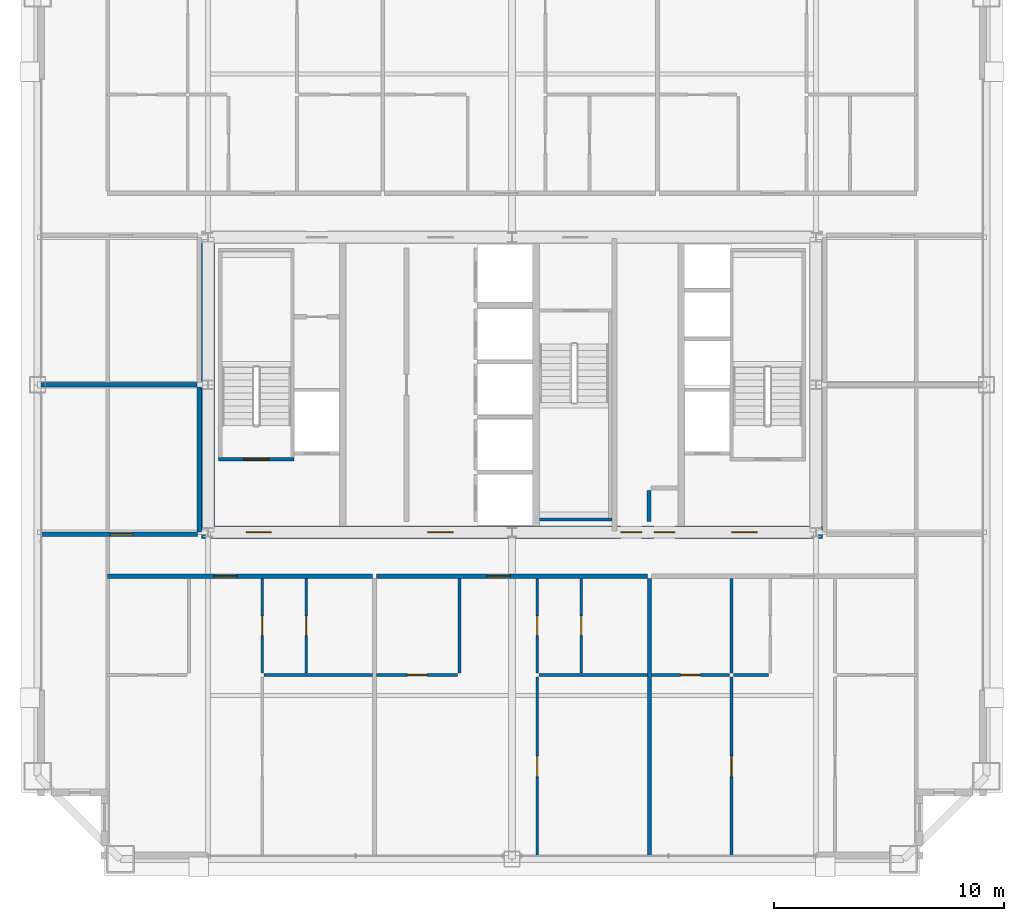
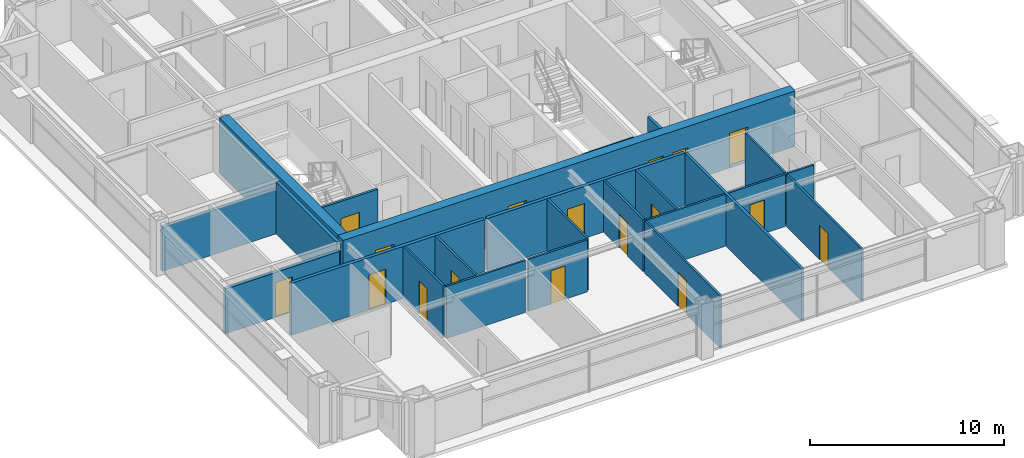
# One storey, part 32 of 37: 24 walls, 17 doors, 17 openings.
"""IFC4 building model written with IfcOpenShell, lengths in metres."""

from ifc_helpers import new_model, si_unit, direction, frame, frame_2d, origin, place, context, subcontext, project, spatial, rectangle, extrude, source, transform, mapped, material, layer, layer_set, type_object, element, fill, save


model = new_model("IFC4")

# Units and contexts
model_context = context("Model", 3, precision=1e-05, world=origin(), true_north=direction((0.0, 1.0)))
body_context = subcontext(model_context, "Body", "Model", "MODEL_VIEW")
ifc_project = project(units=[si_unit("LENGTHUNIT", "METRE"), si_unit("AREAUNIT", "SQUARE_METRE"), si_unit("VOLUMEUNIT", "CUBIC_METRE"), si_unit("PLANEANGLEUNIT", "RADIAN"), si_unit("MASSUNIT", "GRAM", prefix="KILO"), si_unit("THERMODYNAMICTEMPERATUREUNIT", "KELVIN"), si_unit("POWERUNIT", "WATT")], contexts=[model_context])

# Site, building, storey
site_placement = place(None, origin())
site = spatial("IfcSite", under=ifc_project, at=site_placement, CompositionType="ELEMENT")
building_placement = place(site_placement, origin())
building = spatial("IfcBuilding", under=site, at=building_placement, Name="Yuzanri Waterfront Tower", CompositionType="ELEMENT")
storey_placement = place(building_placement, frame((0.0, 0.0, 252.10009765625)))
storey = spatial("IfcBuildingStorey", under=building, at=storey_placement, Name="L67", CompositionType="ELEMENT", Elevation=252.10009765625)

# Wall, opening, door
ifc_material_1 = material(Name="Moisture-Resistant Gypsum Stud Wall", Category="gypsum")
ifc_layer_1 = layer(ifc_material_1, 0.1201171875)
ifc_layer_set_1 = layer_set([ifc_layer_1], Name="Moisture-Resistant Gypsum Stud Wall")
wall_type_1 = type_object("IfcWallType", Name="Bathroom and Kitchen Wet Partition 120", PredefinedType="PARTITIONING", material=ifc_layer_set_1)
wall_1_placement = place(storey_placement, frame((28.070068359375, 13.280029296875, 0.0), z_axis=(0.0, 0.0, 1.0), x_axis=(0.0, 1.0, 0.0)))
wall_1 = element("IfcWall", 1, at=wall_1_placement, inside=storey, type_object=wall_type_1, Name="L67 Partition UW-L67-RS1-SUB-2-W", PredefinedType="PARTITIONING", context=body_context, shape_type="SweptSolid", body=[
    extrude(rectangle(XDim=4.10986328125, YDim=0.1201171875, at=frame_2d((2.054931640625, 0.0))), origin(), (0.0, 0.0, 1.0), 3.27978515625),
])
opening_1_placement = place(wall_1_placement, frame((1.6298828125, 0.0, 0.0)))
opening_1 = element("IfcOpeningElement", 2, at=opening_1_placement, cuts=wall_1, Name="Opening ID-0850", PredefinedType="OPENING", context=body_context, shape_type="SweptSolid", body=[
    extrude(rectangle(XDim=0.85009765625, YDim=2.10009765625, at=frame_2d((0.425048828125, 1.050048828125))), frame((0.0, 0.074951171875, 0.0), z_axis=(0.0, -1.0, 0.0), x_axis=(1.0, 0.0, 0.0)), (0.0, 0.0, 1.0), 0.14990234375),
])
ifc_material_2 = material(Name="Moisture-Resistant Lacquered Timber", Category="wood")
door_type_1 = type_object("IfcDoorType", Name="En-Suite Bathroom and Kitchen Swing Door 850x2100", OperationType="NOTDEFINED", PredefinedType="DOOR", material=ifc_material_2)
shared_shape_1 = source(origin(), body_context, "Body", "SweptSolid", [
    extrude(rectangle(XDim=0.85009765625, YDim=2.10009765625, at=frame_2d((0.425048828125, 1.050048828125))), frame((0.0, 0.02490234375, 0.0), z_axis=(0.0, -1.0, 0.0), x_axis=(1.0, 0.0, 0.0)), (0.0, 0.0, 1.0), 0.050048828125),
])
door_1_placement = place(opening_1_placement, origin())
door_1 = element("IfcDoor", 3, at=door_1_placement, inside=storey, type_object=door_type_1, Name="L67 Suite Interior Room Door", OperationType="SINGLE_SWING_LEFT", OverallHeight=2.10009765625, OverallWidth=0.85009765625, PredefinedType="DOOR", context=body_context, shape_type="MappedRepresentation", body=[
    mapped(shared_shape_1, transform((0.0, 0.0, 0.0), scale=1.0)),
])
fill(opening_1, door_1)

wall_2_placement = place(storey_placement, frame((26.157958984375, 13.280029296875, 0.0), z_axis=(0.0, 0.0, 1.0), x_axis=(0.0, 1.0, 0.0)))
wall_2 = element("IfcWall", 4, at=wall_2_placement, inside=storey, type_object=wall_type_1, Name="L67 Partition UW-L67-RS1-SUB-4-W", PredefinedType="PARTITIONING", context=body_context, shape_type="SweptSolid", body=[
    extrude(rectangle(XDim=4.10986328125, YDim=0.1201171875, at=frame_2d((2.054931640625, 0.0))), origin(), (0.0, 0.0, 1.0), 3.27978515625),
])
opening_2_placement = place(wall_2_placement, frame((1.6298828125, 0.0, 0.0)))
opening_2 = element("IfcOpeningElement", 5, at=opening_2_placement, cuts=wall_2, Name="Opening ID-0850", PredefinedType="OPENING", context=body_context, shape_type="SweptSolid", body=[
    extrude(rectangle(XDim=0.85009765625, YDim=2.10009765625, at=frame_2d((0.425048828125, 1.050048828125))), frame((0.0, 0.074951171875, 0.0), z_axis=(0.0, -1.0, 0.0), x_axis=(1.0, 0.0, 0.0)), (0.0, 0.0, 1.0), 0.14990234375),
])
door_2_placement = place(opening_2_placement, origin())
door_2 = element("IfcDoor", 6, at=door_2_placement, inside=storey, type_object=door_type_1, Name="L67 Suite Interior Room Door", OperationType="SINGLE_SWING_LEFT", OverallHeight=2.10009765625, OverallWidth=0.85009765625, PredefinedType="DOOR", context=body_context, shape_type="MappedRepresentation", body=[
    mapped(shared_shape_1, transform((0.0, 0.0, 0.0), scale=1.0)),
])
fill(opening_2, door_2)

wall_3_placement = place(storey_placement, frame((31.110107421875, 13.199951171875, 0.0), z_axis=(0.0, 0.0, 1.0), x_axis=(1.0, 0.0, 0.0)))
wall_3 = element("IfcWall", 7, at=wall_3_placement, inside=storey, type_object=wall_type_1, Name="L67 Partition UW-L67-RS2-SUB-1-S", PredefinedType="PARTITIONING", context=body_context, shape_type="SweptSolid", body=[
    extrude(rectangle(XDim=3.533935546875, YDim=0.1201171875, at=frame_2d((1.76708984375, 0.0))), origin(), (0.0, 0.0, 1.0), 3.27978515625),
])
opening_3_placement = place(wall_3_placement, frame((1.342041015625, 0.0, 0.0)))
opening_3 = element("IfcOpeningElement", 8, at=opening_3_placement, cuts=wall_3, Name="Opening ID-0850", PredefinedType="OPENING", context=body_context, shape_type="SweptSolid", body=[
    extrude(rectangle(XDim=0.85009765625, YDim=2.10009765625, at=frame_2d((0.425048828125, 1.050048828125))), frame((0.0, 0.074951171875, 0.0), z_axis=(0.0, -1.0, 0.0), x_axis=(1.0, 0.0, 0.0)), (0.0, 0.0, 1.0), 0.14990234375),
])
door_3_placement = place(opening_3_placement, origin())
door_3 = element("IfcDoor", 9, at=door_3_placement, inside=storey, type_object=door_type_1, Name="L67 Suite Interior Room Door", OperationType="SINGLE_SWING_LEFT", OverallHeight=2.10009765625, OverallWidth=0.85009765625, PredefinedType="DOOR", context=body_context, shape_type="MappedRepresentation", body=[
    mapped(shared_shape_1, transform((0.0, 0.0, 0.0), scale=1.0)),
])
fill(opening_3, door_3)

wall_4_placement = place(storey_placement, frame((40.010009765625, 13.280029296875, 0.0), z_axis=(0.0, 0.0, 1.0), x_axis=(0.0, 1.0, 0.0)))
wall_4 = element("IfcWall", 10, at=wall_4_placement, inside=storey, type_object=wall_type_1, Name="L67 Partition UW-L67-RS2-SUB-2-W", PredefinedType="PARTITIONING", context=body_context, shape_type="SweptSolid", body=[
    extrude(rectangle(XDim=4.10986328125, YDim=0.1201171875, at=frame_2d((2.054931640625, 0.0))), origin(), (0.0, 0.0, 1.0), 3.27978515625),
])
opening_4_placement = place(wall_4_placement, frame((1.6298828125, 0.0, 0.0)))
opening_4 = element("IfcOpeningElement", 11, at=opening_4_placement, cuts=wall_4, Name="Opening ID-0850", PredefinedType="OPENING", context=body_context, shape_type="SweptSolid", body=[
    extrude(rectangle(XDim=0.85009765625, YDim=2.10009765625, at=frame_2d((0.425048828125, 1.050048828125))), frame((0.0, 0.074951171875, 0.0), z_axis=(0.0, -1.0, 0.0), x_axis=(1.0, 0.0, 0.0)), (0.0, 0.0, 1.0), 0.14990234375),
])
door_4_placement = place(opening_4_placement, origin())
door_4 = element("IfcDoor", 12, at=door_4_placement, inside=storey, type_object=door_type_1, Name="L67 Suite Interior Room Door", OperationType="SINGLE_SWING_RIGHT", OverallHeight=2.10009765625, OverallWidth=0.85009765625, PredefinedType="DOOR", context=body_context, shape_type="MappedRepresentation", body=[
    mapped(shared_shape_1, transform((0.0, 0.0, 0.0), scale=1.0)),
])
fill(opening_4, door_4)

wall_5_placement = place(storey_placement, frame((38.097900390625, 5.35009765625, 0.0), z_axis=(0.0, 0.0, 1.0), x_axis=(0.0, 1.0, 0.0)))
wall_5 = element("IfcWall", 13, at=wall_5_placement, inside=storey, type_object=wall_type_1, Name="L67 Partition UW-L67-RS2-SUB-3-W", PredefinedType="PARTITIONING", context=body_context, shape_type="SweptSolid", body=[
    extrude(rectangle(XDim=7.77001953125, YDim=0.1201171875, at=frame_2d((3.885009765625, 0.0))), origin(), (0.0, 0.0, 1.0), 3.27978515625),
])
opening_5_placement = place(wall_5_placement, frame((3.43505859375, 0.0, 0.0)))
opening_5 = element("IfcOpeningElement", 14, at=opening_5_placement, cuts=wall_5, Name="Opening ID-0900", PredefinedType="OPENING", context=body_context, shape_type="SweptSolid", body=[
    extrude(rectangle(XDim=0.89990234375, YDim=2.14990234375, at=frame_2d((0.449951171875, 1.074951171875))), frame((0.0, 0.074951171875, 0.0), z_axis=(0.0, -1.0, 0.0), x_axis=(1.0, 0.0, 0.0)), (0.0, 0.0, 1.0), 0.14990234375),
])
ifc_material_3 = material(Name="Stained Walnut Veneer Timber", Category="wood")
door_type_2 = type_object("IfcDoorType", Name="Bedroom and Study Interior Swing Door 900x2150", OperationType="NOTDEFINED", PredefinedType="DOOR", material=ifc_material_3)
shared_shape_2 = source(origin(), body_context, "Body", "SweptSolid", [
    extrude(rectangle(XDim=0.89990234375, YDim=2.14990234375, at=frame_2d((0.449951171875, 1.074951171875))), frame((0.0, 0.02490234375, 0.0), z_axis=(0.0, -1.0, 0.0), x_axis=(1.0, 0.0, 0.0)), (0.0, 0.0, 1.0), 0.050048828125),
])
door_5_placement = place(opening_5_placement, origin())
door_5 = element("IfcDoor", 15, at=door_5_placement, inside=storey, type_object=door_type_2, Name="L67 Suite Interior Room Door", OperationType="SINGLE_SWING_LEFT", OverallHeight=2.14990234375, OverallWidth=0.89990234375, PredefinedType="DOOR", context=body_context, shape_type="MappedRepresentation", body=[
    mapped(shared_shape_2, transform((0.0, 0.0, 0.0), scale=1.0)),
])
fill(opening_5, door_5)

wall_6_placement = place(storey_placement, frame((38.097900390625, 13.280029296875, 0.0), z_axis=(0.0, 0.0, 1.0), x_axis=(0.0, 1.0, 0.0)))
wall_6 = element("IfcWall", 16, at=wall_6_placement, inside=storey, type_object=wall_type_1, Name="L67 Partition UW-L67-RS2-SUB-4-W", PredefinedType="PARTITIONING", context=body_context, shape_type="SweptSolid", body=[
    extrude(rectangle(XDim=4.10986328125, YDim=0.1201171875, at=frame_2d((2.054931640625, 0.0))), origin(), (0.0, 0.0, 1.0), 3.27978515625),
])
opening_6_placement = place(wall_6_placement, frame((1.6298828125, 0.0, 0.0)))
opening_6 = element("IfcOpeningElement", 17, at=opening_6_placement, cuts=wall_6, Name="Opening ID-0850", PredefinedType="OPENING", context=body_context, shape_type="SweptSolid", body=[
    extrude(rectangle(XDim=0.85009765625, YDim=2.10009765625, at=frame_2d((0.425048828125, 1.050048828125))), frame((0.0, 0.074951171875, 0.0), z_axis=(0.0, -1.0, 0.0), x_axis=(1.0, 0.0, 0.0)), (0.0, 0.0, 1.0), 0.14990234375),
])
door_6_placement = place(opening_6_placement, origin())
door_6 = element("IfcDoor", 18, at=door_6_placement, inside=storey, type_object=door_type_1, Name="L67 Suite Interior Room Door", OperationType="SINGLE_SWING_RIGHT", OverallHeight=2.10009765625, OverallWidth=0.85009765625, PredefinedType="DOOR", context=body_context, shape_type="MappedRepresentation", body=[
    mapped(shared_shape_1, transform((0.0, 0.0, 0.0), scale=1.0)),
])
fill(opening_6, door_6)

wall_7_placement = place(storey_placement, frame((43.050048828125, 13.199951171875, 0.0), z_axis=(0.0, 0.0, 1.0), x_axis=(1.0, 0.0, 0.0)))
wall_7 = element("IfcWall", 19, at=wall_7_placement, inside=storey, type_object=wall_type_1, Name="L67 Partition UW-L67-RS3-SUB-1-S", PredefinedType="PARTITIONING", context=body_context, shape_type="SweptSolid", body=[
    extrude(rectangle(XDim=3.39990234375, YDim=0.1201171875, at=frame_2d((1.699951171875, 0.0))), origin(), (0.0, 0.0, 1.0), 3.27978515625),
])
opening_7_placement = place(wall_7_placement, frame((1.27490234375, 0.0, 0.0)))
opening_7 = element("IfcOpeningElement", 20, at=opening_7_placement, cuts=wall_7, Name="Opening ID-0850", PredefinedType="OPENING", context=body_context, shape_type="SweptSolid", body=[
    extrude(rectangle(XDim=0.85009765625, YDim=2.10009765625, at=frame_2d((0.425048828125, 1.050048828125))), frame((0.0, 0.074951171875, 0.0), z_axis=(0.0, -1.0, 0.0), x_axis=(1.0, 0.0, 0.0)), (0.0, 0.0, 1.0), 0.14990234375),
])
door_7_placement = place(opening_7_placement, origin())
door_7 = element("IfcDoor", 21, at=door_7_placement, inside=storey, type_object=door_type_1, Name="L67 Suite Interior Room Door", OperationType="SINGLE_SWING_RIGHT", OverallHeight=2.10009765625, OverallWidth=0.85009765625, PredefinedType="DOOR", context=body_context, shape_type="MappedRepresentation", body=[
    mapped(shared_shape_1, transform((0.0, 0.0, 0.0), scale=1.0)),
])
fill(opening_7, door_7)

wall_8_placement = place(storey_placement, frame((46.530029296875, 5.35009765625, 0.0), z_axis=(0.0, 0.0, 1.0), x_axis=(0.0, 1.0, 0.0)))
wall_8 = element("IfcWall", 22, at=wall_8_placement, inside=storey, type_object=wall_type_1, Name="L67 Partition UW-L67-RS3-SUB-4-E", PredefinedType="PARTITIONING", context=body_context, shape_type="SweptSolid", body=[
    extrude(rectangle(XDim=7.77001953125, YDim=0.1201171875, at=frame_2d((3.885009765625, 0.0))), origin(), (0.0, 0.0, 1.0), 3.27978515625),
])
opening_8_placement = place(wall_8_placement, frame((3.43505859375, 0.0, 0.0)))
opening_8 = element("IfcOpeningElement", 23, at=opening_8_placement, cuts=wall_8, Name="Opening ID-0900", PredefinedType="OPENING", context=body_context, shape_type="SweptSolid", body=[
    extrude(rectangle(XDim=0.89990234375, YDim=2.14990234375, at=frame_2d((0.449951171875, 1.074951171875))), frame((0.0, 0.074951171875, 0.0), z_axis=(0.0, -1.0, 0.0), x_axis=(1.0, 0.0, 0.0)), (0.0, 0.0, 1.0), 0.14990234375),
])
door_8_placement = place(opening_8_placement, origin())
door_8 = element("IfcDoor", 24, at=door_8_placement, inside=storey, type_object=door_type_2, Name="L67 Suite Interior Room Door", OperationType="SINGLE_SWING_LEFT", OverallHeight=2.14990234375, OverallWidth=0.89990234375, PredefinedType="DOOR", context=body_context, shape_type="MappedRepresentation", body=[
    mapped(shared_shape_2, transform((0.0, 0.0, 0.0), scale=1.0)),
])
fill(opening_8, door_8)

# Wall, openings, doors
ifc_material_4 = material(Name="Concrete C50", Category="concrete")
ifc_layer_2 = layer(ifc_material_4, 0.550048828125)
ifc_layer_set_2 = layer_set([ifc_layer_2], Name="Concrete C50")
wall_type_2 = type_object("IfcWallType", Name="Concrete C50 Upper-Mid Zone Core Shear Wall 550", PredefinedType="SHEAR", material=ifc_layer_set_2)
wall_9_placement = place(storey_placement, frame((23.52490234375, 19.39990234375, 0.0), z_axis=(0.0, 0.0, 1.0), x_axis=(1.0, 0.0, 0.0)))
wall_9 = element("IfcWall", 25, at=wall_9_placement, inside=storey, type_object=wall_type_2, Name="L67 Core South Shear Wall", PredefinedType="SHEAR", context=body_context, shape_type="SweptSolid", body=[
    extrude(rectangle(XDim=26.9501953125, YDim=0.550048828125, at=frame_2d((13.47509765625, 0.0))), origin(), (0.0, 0.0, 1.0), 3.5),
])
opening_9_placement = place(wall_9_placement, frame((1.925048828125, 0.0, 0.0)))
opening_9 = element("IfcOpeningElement", 26, at=opening_9_placement, cuts=wall_9, Name="Opening FD-1100", PredefinedType="OPENING", context=body_context, shape_type="SweptSolid", body=[
    extrude(rectangle(XDim=1.10009765625, YDim=2.199951171875, at=frame_2d((0.550048828125, 1.10009765625))), frame((0.0, 0.2900390625, 0.0), z_axis=(0.0, -1.0, 0.0), x_axis=(1.0, 0.0, 0.0)), (0.0, 0.0, 1.0), 0.579833984375),
])
opening_10_placement = place(wall_9_placement, frame((9.824951171875, 0.0, 0.0)))
opening_10 = element("IfcOpeningElement", 27, at=opening_10_placement, cuts=wall_9, Name="Opening FD-1100", PredefinedType="OPENING", context=body_context, shape_type="SweptSolid", body=[
    extrude(rectangle(XDim=1.10009765625, YDim=2.199951171875, at=frame_2d((0.550048828125, 1.10009765625))), frame((0.0, 0.2900390625, 0.0), z_axis=(0.0, -1.0, 0.0), x_axis=(1.0, 0.0, 0.0)), (0.0, 0.0, 1.0), 0.579833984375),
])
opening_11_placement = place(wall_9_placement, frame((23.02490234375, 0.0, 0.0)))
opening_11 = element("IfcOpeningElement", 28, at=opening_11_placement, cuts=wall_9, Name="Opening FD-1100", PredefinedType="OPENING", context=body_context, shape_type="SweptSolid", body=[
    extrude(rectangle(XDim=1.10009765625, YDim=2.199951171875, at=frame_2d((0.550048828125, 1.10009765625))), frame((0.0, 0.2900390625, 0.0), z_axis=(0.0, -1.0, 0.0), x_axis=(1.0, 0.0, 0.0)), (0.0, 0.0, 1.0), 0.579833984375),
])
opening_12_placement = place(wall_9_placement, frame((19.64501953125, 0.0, 0.0)))
opening_12 = element("IfcOpeningElement", 29, at=opening_12_placement, cuts=wall_9, Name="Opening FD-0900", PredefinedType="OPENING", context=body_context, shape_type="SweptSolid", body=[
    extrude(rectangle(XDim=0.89990234375, YDim=2.14990234375, at=frame_2d((0.449951171875, 1.074951171875))), frame((0.0, 0.2900390625, 0.0), z_axis=(0.0, -1.0, 0.0), x_axis=(1.0, 0.0, 0.0)), (0.0, 0.0, 1.0), 0.579833984375),
])
opening_13_placement = place(wall_9_placement, frame((18.205078125, 0.0, 0.0)))
opening_13 = element("IfcOpeningElement", 30, at=opening_13_placement, cuts=wall_9, Name="Opening FD-0900", PredefinedType="OPENING", context=body_context, shape_type="SweptSolid", body=[
    extrude(rectangle(XDim=0.89990234375, YDim=2.14990234375, at=frame_2d((0.449951171875, 1.074951171875))), frame((0.0, 0.2900390625, 0.0), z_axis=(0.0, -1.0, 0.0), x_axis=(1.0, 0.0, 0.0)), (0.0, 0.0, 1.0), 0.579833984375),
])
ifc_material_5 = material(Name="Painted Galvanized Fire Steel", Category="steel")
door_type_3 = type_object("IfcDoorType", Name="Smoke-Proof Stair and Lobby Fire Door 1100x2200", OperationType="NOTDEFINED", PredefinedType="DOOR", material=ifc_material_5)
shared_shape_3 = source(origin(), body_context, "Body", "SweptSolid", [
    extrude(rectangle(XDim=1.10009765625, YDim=2.199951171875, at=frame_2d((0.550048828125, 1.10009765625))), frame((0.0, 0.02490234375, 0.0), z_axis=(0.0, -1.0, 0.0), x_axis=(1.0, 0.0, 0.0)), (0.0, 0.0, 1.0), 0.050048828125),
])
door_9_placement = place(opening_9_placement, origin())
door_9 = element("IfcDoor", 31, at=door_9_placement, inside=storey, type_object=door_type_3, Name="L67 West Firefighting Lobby Door", OperationType="SINGLE_SWING_LEFT", OverallHeight=2.199951171875, OverallWidth=1.10009765625, PredefinedType="DOOR", context=body_context, shape_type="MappedRepresentation", body=[
    mapped(shared_shape_3, transform((0.0, 0.0, 0.0), scale=1.0)),
])
fill(opening_9, door_9)
door_10_placement = place(opening_10_placement, origin())
door_10 = element("IfcDoor", 32, at=door_10_placement, inside=storey, type_object=door_type_3, Name="L67 Central Lift Lobby South Door", OperationType="SINGLE_SWING_RIGHT", OverallHeight=2.199951171875, OverallWidth=1.10009765625, PredefinedType="DOOR", context=body_context, shape_type="MappedRepresentation", body=[
    mapped(shared_shape_3, transform((0.0, 0.0, 0.0), scale=1.0)),
])
fill(opening_10, door_10)
door_11_placement = place(opening_11_placement, origin())
door_11 = element("IfcDoor", 33, at=door_11_placement, inside=storey, type_object=door_type_3, Name="L67 East Firefighting Lobby Door", OperationType="SINGLE_SWING_LEFT", OverallHeight=2.199951171875, OverallWidth=1.10009765625, PredefinedType="DOOR", context=body_context, shape_type="MappedRepresentation", body=[
    mapped(shared_shape_3, transform((0.0, 0.0, 0.0), scale=1.0)),
])
fill(opening_11, door_11)
ifc_material_6 = material(Name="Painted Galvanized Fire Steel", Category="steel")
door_type_4 = type_object("IfcDoorType", Name="Riser and Service Room Fire Door 900x2150", OperationType="NOTDEFINED", PredefinedType="DOOR", material=ifc_material_6)
shared_shape_4 = source(origin(), body_context, "Body", "SweptSolid", [
    extrude(rectangle(XDim=0.89990234375, YDim=2.14990234375, at=frame_2d((0.449951171875, 1.074951171875))), frame((0.0, 0.02490234375, 0.0), z_axis=(0.0, -1.0, 0.0), x_axis=(1.0, 0.0, 0.0)), (0.0, 0.0, 1.0), 0.050048828125),
])
door_12_placement = place(opening_12_placement, origin())
door_12 = element("IfcDoor", 34, at=door_12_placement, inside=storey, type_object=door_type_4, Name="L67 East Wet Riser Door", OperationType="SINGLE_SWING_LEFT", OverallHeight=2.14990234375, OverallWidth=0.89990234375, PredefinedType="DOOR", context=body_context, shape_type="MappedRepresentation", body=[
    mapped(shared_shape_4, transform((0.0, 0.0, 0.0), scale=1.0)),
])
fill(opening_12, door_12)
door_13_placement = place(opening_13_placement, origin())
door_13 = element("IfcDoor", 35, at=door_13_placement, inside=storey, type_object=door_type_4, Name="L67 Cleaners Store Room", OperationType="SINGLE_SWING_RIGHT", OverallHeight=2.14990234375, OverallWidth=0.89990234375, PredefinedType="DOOR", context=body_context, shape_type="MappedRepresentation", body=[
    mapped(shared_shape_4, transform((0.0, 0.0, 0.0), scale=1.0)),
])
fill(opening_13, door_13)

# Wall, opening, door
ifc_material_7 = material(Name="Concrete C40", Category="concrete")
ifc_layer_3 = layer(ifc_material_7, 0.139892578125)
ifc_layer_set_3 = layer_set([ifc_layer_3], Name="Concrete C40")
wall_type_3 = type_object("IfcWallType", Name="Core Stair Liner and Hoistway Shaft Wall 140", PredefinedType="SOLIDWALL", material=ifc_layer_set_3)
wall_10_placement = place(storey_placement, frame((24.260009765625, 22.570068359375, 0.0), z_axis=(0.0, 0.0, 1.0), x_axis=(1.0, 0.0, 0.0)))
wall_10 = element("IfcWall", 36, at=wall_10_placement, inside=storey, type_object=wall_type_3, Name="L67 Shaft Wall STW-L67-ST-01-S", PredefinedType="SOLIDWALL", context=body_context, shape_type="SweptSolid", body=[
    extrude(rectangle(XDim=3.280029296875, YDim=0.139892578125, at=frame_2d((1.64013671875, 0.0))), origin(), (0.0, 0.0, 1.0), 3.27978515625),
])
opening_14_placement = place(wall_10_placement, frame((1.090087890625, 0.0, 0.0)))
opening_14 = element("IfcOpeningElement", 37, at=opening_14_placement, cuts=wall_10, Name="Opening FD-1100", PredefinedType="OPENING", context=body_context, shape_type="SweptSolid", body=[
    extrude(rectangle(XDim=1.10009765625, YDim=2.199951171875, at=frame_2d((0.550048828125, 1.10009765625))), frame((0.0, 0.0849609375, 0.0), z_axis=(0.0, -1.0, 0.0), x_axis=(1.0, 0.0, 0.0)), (0.0, 0.0, 1.0), 0.169677734375),
])
door_14_placement = place(opening_14_placement, origin())
door_14 = element("IfcDoor", 38, at=door_14_placement, inside=storey, type_object=door_type_3, Name="L67 Stair ST-01 Fire Door", OperationType="SINGLE_SWING_RIGHT", OverallHeight=2.199951171875, OverallWidth=1.10009765625, PredefinedType="DOOR", context=body_context, shape_type="MappedRepresentation", body=[
    mapped(shared_shape_3, transform((0.0, 0.0, 0.0), scale=1.0)),
])
fill(opening_14, door_14)

ifc_material_8 = material(Name="Autoclaved Aerated Concrete Blockwork", Category="masonry")
ifc_layer_4 = layer(ifc_material_8, 0.199951171875)
ifc_layer_set_4 = layer_set([ifc_layer_4], Name="Autoclaved Aerated Concrete Blockwork")
wall_type_4 = type_object("IfcWallType", Name="Corridor and Unit Party Fire Wall 200", PredefinedType="PARTITIONING", material=ifc_layer_set_4)
wall_11_placement = place(storey_placement, frame((19.43994140625, 17.489990234375, 0.0), z_axis=(0.0, 0.0, 1.0), x_axis=(1.0, 0.0, 0.0)))
wall_11 = element("IfcWall", 39, at=wall_11_placement, inside=storey, type_object=wall_type_4, Name="L67 Partition UW-L67-RS1-CN", PredefinedType="PARTITIONING", context=body_context, shape_type="SweptSolid", body=[
    extrude(rectangle(XDim=11.510009765625, YDim=0.199951171875, at=frame_2d((5.7548828125, 0.0))), origin(), (0.0, 0.0, 1.0), 3.27978515625),
])
opening_15_placement = place(wall_11_placement, frame((4.6259765625, 0.0, 0.0)))
opening_15 = element("IfcOpeningElement", 40, at=opening_15_placement, cuts=wall_11, Name="Opening FD-1000", PredefinedType="OPENING", context=body_context, shape_type="SweptSolid", body=[
    extrude(rectangle(XDim=1.0, YDim=2.199951171875, at=frame_2d((0.5, 1.10009765625))), frame((0.0, 0.11474609375, 0.0), z_axis=(0.0, -1.0, 0.0), x_axis=(1.0, 0.0, 0.0)), (0.0, 0.0, 1.0), 0.229736328125),
])
ifc_material_9 = material(Name="Engineered Oak Fire-Rated Timber", Category="wood")
door_type_5 = type_object("IfcDoorType", Name="Guestroom and Apartment Entrance Fire Door 1000x2200", OperationType="NOTDEFINED", PredefinedType="DOOR", material=ifc_material_9)
shared_shape_5 = source(origin(), body_context, "Body", "SweptSolid", [
    extrude(rectangle(XDim=1.0, YDim=2.199951171875, at=frame_2d((0.5, 1.10009765625))), frame((0.0, 0.02490234375, 0.0), z_axis=(0.0, -1.0, 0.0), x_axis=(1.0, 0.0, 0.0)), (0.0, 0.0, 1.0), 0.050048828125),
])
door_15_placement = place(opening_15_placement, origin())
door_15 = element("IfcDoor", 41, at=door_15_placement, inside=storey, type_object=door_type_5, Name="L67 Apartment Living Room Entrance Door", OperationType="SINGLE_SWING_LEFT", OverallHeight=2.199951171875, OverallWidth=1.0, PredefinedType="DOOR", context=body_context, shape_type="MappedRepresentation", body=[
    mapped(shared_shape_5, transform((0.0, 0.0, 0.0), scale=1.0)),
])
fill(opening_15, door_15)

wall_12_placement = place(storey_placement, frame((31.110107421875, 17.489990234375, 0.0), z_axis=(0.0, 0.0, 1.0), x_axis=(1.0, 0.0, 0.0)))
wall_12 = element("IfcWall", 42, at=wall_12_placement, inside=storey, type_object=wall_type_4, Name="L67 Partition UW-L67-RS2-CN", PredefinedType="PARTITIONING", context=body_context, shape_type="SweptSolid", body=[
    extrude(rectangle(XDim=11.77978515625, YDim=0.199951171875, at=frame_2d((5.889892578125, 0.0))), origin(), (0.0, 0.0, 1.0), 3.27978515625),
])
opening_16_placement = place(wall_12_placement, frame((4.801025390625, 0.0, 0.0)))
opening_16 = element("IfcOpeningElement", 43, at=opening_16_placement, cuts=wall_12, Name="Opening FD-1000", PredefinedType="OPENING", context=body_context, shape_type="SweptSolid", body=[
    extrude(rectangle(XDim=1.0, YDim=2.199951171875, at=frame_2d((0.5, 1.10009765625))), frame((0.0, 0.11474609375, 0.0), z_axis=(0.0, -1.0, 0.0), x_axis=(1.0, 0.0, 0.0)), (0.0, 0.0, 1.0), 0.229736328125),
])
door_16_placement = place(opening_16_placement, origin())
door_16 = element("IfcDoor", 44, at=door_16_placement, inside=storey, type_object=door_type_5, Name="L67 Apartment Living Room Entrance Door", OperationType="SINGLE_SWING_RIGHT", OverallHeight=2.199951171875, OverallWidth=1.0, PredefinedType="DOOR", context=body_context, shape_type="MappedRepresentation", body=[
    mapped(shared_shape_5, transform((0.0, 0.0, 0.0), scale=1.0)),
])
fill(opening_16, door_16)

wall_13_placement = place(storey_placement, frame((16.550048828125, 19.31005859375, 0.0), z_axis=(0.0, 0.0, 1.0), x_axis=(1.0, 0.0, 0.0)))
wall_13 = element("IfcWall", 45, at=wall_13_placement, inside=storey, type_object=wall_type_4, Name="L67 Partition UW-L67-047-CS", PredefinedType="PARTITIONING", context=body_context, shape_type="SweptSolid", body=[
    extrude(rectangle(XDim=6.800048828125, YDim=0.199951171875, at=frame_2d((3.39990234375, 0.0))), origin(), (0.0, 0.0, 1.0), 2.824951171875),
])
opening_17_placement = place(wall_13_placement, frame((3.0, 0.0, 0.0)))
opening_17 = element("IfcOpeningElement", 46, at=opening_17_placement, cuts=wall_13, Name="Opening FD-1000", PredefinedType="OPENING", context=body_context, shape_type="SweptSolid", body=[
    extrude(rectangle(XDim=1.0, YDim=2.199951171875, at=frame_2d((0.5, 1.10009765625))), frame((0.0, 0.11474609375, 0.0), z_axis=(0.0, -1.0, 0.0), x_axis=(1.0, 0.0, 0.0)), (0.0, 0.0, 1.0), 0.229736328125),
])
door_17_placement = place(opening_17_placement, origin())
door_17 = element("IfcDoor", 47, at=door_17_placement, inside=storey, type_object=door_type_5, Name="L67 Residents W Co-Working Office 1 Entrance Door", OperationType="SINGLE_SWING_LEFT", OverallHeight=2.199951171875, OverallWidth=1.0, PredefinedType="DOOR", context=body_context, shape_type="MappedRepresentation", body=[
    mapped(shared_shape_5, transform((0.0, 0.0, 0.0), scale=1.0)),
])
fill(opening_17, door_17)

# Walls
shared_shape_6 = source(origin(), body_context, "Body", "SweptSolid", [
    extrude(rectangle(XDim=12.25, YDim=0.550048828125, at=frame_2d((6.125, 0.0))), origin(), (0.0, 0.0, 1.0), 3.5),
])
wall_14_placement = place(storey_placement, frame((23.800048828125, 19.675048828125, 0.0), z_axis=(0.0, 0.0, 1.0), x_axis=(0.0, 1.0, 0.0)))
element("IfcWall", 48, at=wall_14_placement, inside=storey, type_object=wall_type_2, Name="L67 Core West Shear Wall", PredefinedType="SHEAR", context=body_context, shape_type="MappedRepresentation", body=[
    mapped(shared_shape_6, transform((0.0, 0.0, 0.0), scale=1.0)),
])
shared_shape_7 = source(origin(), body_context, "Body", "SweptSolid", [
    extrude(rectangle(XDim=3.14013671875, YDim=0.139892578125, at=frame_2d((1.570068359375, 0.0))), origin(), (0.0, 0.0, 1.0), 3.27978515625),
])
wall_15_placement = place(storey_placement, frame((38.199951171875, 19.949951171875, 0.0), z_axis=(0.0, 0.0, 1.0), x_axis=(1.0, 0.0, 0.0)))
element("IfcWall", 49, at=wall_15_placement, inside=storey, type_object=wall_type_3, Name="L67 Stair ST-03 South Shaft Wall", PredefinedType="SOLIDWALL", context=body_context, shape_type="MappedRepresentation", body=[
    mapped(shared_shape_7, transform((0.0, 0.0, 0.0), scale=1.0)),
])
ifc_material_10 = material(Name="Gypsum Fireboard Acoustic Stud Wall", Category="gypsum")
ifc_layer_5 = layer(ifc_material_10, 0.159912109375)
ifc_layer_set_5 = layer_set([ifc_layer_5], Name="Gypsum Fireboard Acoustic Stud Wall")
wall_type_5 = type_object("IfcWallType", Name="Acoustic Suite Demising Partition 160", PredefinedType="PARTITIONING", material=ifc_layer_set_5)
shared_shape_8 = source(origin(), body_context, "Body", "SweptSolid", [
    extrude(rectangle(XDim=1.33984375, YDim=0.159912109375, at=frame_2d((0.669921875, 0.0))), origin(), (0.0, 0.0, 1.0), 3.27978515625),
])
wall_16_placement = place(storey_placement, frame((42.949951171875, 19.860107421875, 0.0), z_axis=(0.0, 0.0, 1.0), x_axis=(0.0, 1.0, 0.0)))
element("IfcWall", 50, at=wall_16_placement, inside=storey, type_object=wall_type_5, Name="L67 East Wet Riser West Wall", PredefinedType="PARTITIONING", context=body_context, shape_type="MappedRepresentation", body=[
    mapped(shared_shape_8, transform((0.0, 0.0, 0.0), scale=1.0)),
])
shared_shape_9 = source(origin(), body_context, "Body", "SweptSolid", [
    extrude(rectangle(XDim=12.039794921875, YDim=0.159912109375, at=frame_2d((6.02001953125, 0.0))), origin(), (0.0, 0.0, 1.0), 3.27978515625),
])
wall_17_placement = place(storey_placement, frame((42.969970703125, 5.35009765625, 0.0), z_axis=(0.0, 0.0, 1.0), x_axis=(0.0, 1.0, 0.0)))
element("IfcWall", 51, at=wall_17_placement, inside=storey, type_object=wall_type_5, Name="L67-RS2 Party Wall", PredefinedType="PARTITIONING", context=body_context, shape_type="MappedRepresentation", body=[
    mapped(shared_shape_9, transform((0.0, 0.0, 0.0), scale=1.0)),
])
shared_shape_10 = source(origin(), body_context, "Body", "SweptSolid", [
    extrude(rectangle(XDim=4.10986328125, YDim=0.1201171875, at=frame_2d((2.054931640625, 0.0))), origin(), (0.0, 0.0, 1.0), 3.27978515625),
])
for number, where, z_axis, x_axis, name in (
    (52, (34.72412109375, 13.280029296875, 0.0), (0.0, 0.0, 1.0), (0.0, 1.0, 0.0), "L67 Partition UW-L67-RS2-SUB-1-E"),
    (53, (46.530029296875, 13.280029296875, 0.0), (0.0, 0.0, 1.0), (0.0, 1.0, 0.0), "L67 Partition UW-L67-RS3-SUB-1-E"),
):
    element("IfcWall", number, at=place(storey_placement, frame(where, z_axis=z_axis, x_axis=x_axis)), inside=storey, type_object=wall_type_1, Name=name, PredefinedType="PARTITIONING", context=body_context, shape_type="MappedRepresentation", body=[
        mapped(shared_shape_10, transform((0.0, 0.0, 0.0), scale=1.0)),
    ])
shared_shape_11 = source(origin(), body_context, "Body", "SweptSolid", [
    extrude(rectangle(XDim=6.764892578125, YDim=0.199951171875, at=frame_2d((3.38232421875, 0.0))), origin(), (0.0, 0.0, 1.0), 2.786865234375),
])
wall_18_placement = place(storey_placement, frame((16.550048828125, 25.800048828125, 0.0), z_axis=(0.0, 0.0, 1.0), x_axis=(1.0, 0.0, 0.0)))
element("IfcWall", 54, at=wall_18_placement, inside=storey, type_object=wall_type_4, Name="L67-047 Wing North Wall", PredefinedType="PARTITIONING", context=body_context, shape_type="MappedRepresentation", body=[
    mapped(shared_shape_11, transform((0.0, 0.0, 0.0), scale=1.0)),
])
shared_shape_12 = source(origin(), body_context, "Body", "SweptSolid", [
    extrude(rectangle(XDim=6.2900390625, YDim=0.199951171875, at=frame_2d((3.14501953125, 0.0))), origin(), (0.0, 0.0, 1.0), 3.27978515625),
])
wall_19_placement = place(storey_placement, frame((23.419921875, 19.409912109375, 0.0), z_axis=(0.0, 0.0, 1.0), x_axis=(0.0, 1.0, 0.0)))
element("IfcWall", 55, at=wall_19_placement, inside=storey, type_object=wall_type_4, Name="L67-047 Wing Inner Core-Side Wall", PredefinedType="PARTITIONING", context=body_context, shape_type="MappedRepresentation", body=[
    mapped(shared_shape_12, transform((0.0, 0.0, 0.0), scale=1.0)),
])
shared_shape_13 = source(origin(), body_context, "Body", "SweptSolid", [
    extrude(rectangle(XDim=4.7119140625, YDim=0.1201171875, at=frame_2d((2.35595703125, 0.0))), origin(), (0.0, 0.0, 1.0), 3.27978515625),
])
for number, where, z_axis, x_axis, name in (
    (56, (26.238037109375, 13.199951171875, 0.0), (0.0, 0.0, 1.0), (1.0, 0.0, 0.0), "L67 Partition UW-L67-RS1-SUB-3-N"),
    (57, (38.177978515625, 13.199951171875, 0.0), (0.0, 0.0, 1.0), (1.0, 0.0, 0.0), "L67 Partition UW-L67-RS2-SUB-3-N"),
):
    element("IfcWall", number, at=place(storey_placement, frame(where, z_axis=z_axis, x_axis=x_axis)), inside=storey, type_object=wall_type_1, Name=name, PredefinedType="PARTITIONING", context=body_context, shape_type="MappedRepresentation", body=[
        mapped(shared_shape_13, transform((0.0, 0.0, 0.0), scale=1.0)),
    ])
shared_shape_14 = source(origin(), body_context, "Body", "SweptSolid", [
    extrude(rectangle(XDim=1.52880859375, YDim=0.1201171875, at=frame_2d((0.764404296875, 0.0))), origin(), (0.0, 0.0, 1.0), 3.27978515625),
])
wall_20_placement = place(storey_placement, frame((46.610107421875, 13.199951171875, 0.0), z_axis=(0.0, 0.0, 1.0), x_axis=(1.0, 0.0, 0.0)))
element("IfcWall", 58, at=wall_20_placement, inside=storey, type_object=wall_type_1, Name="L67 Partition UW-L67-RS3-SUB-2-S", PredefinedType="PARTITIONING", context=body_context, shape_type="MappedRepresentation", body=[
    mapped(shared_shape_14, transform((0.0, 0.0, 0.0), scale=1.0)),
])

save(model, "model.ifc")
